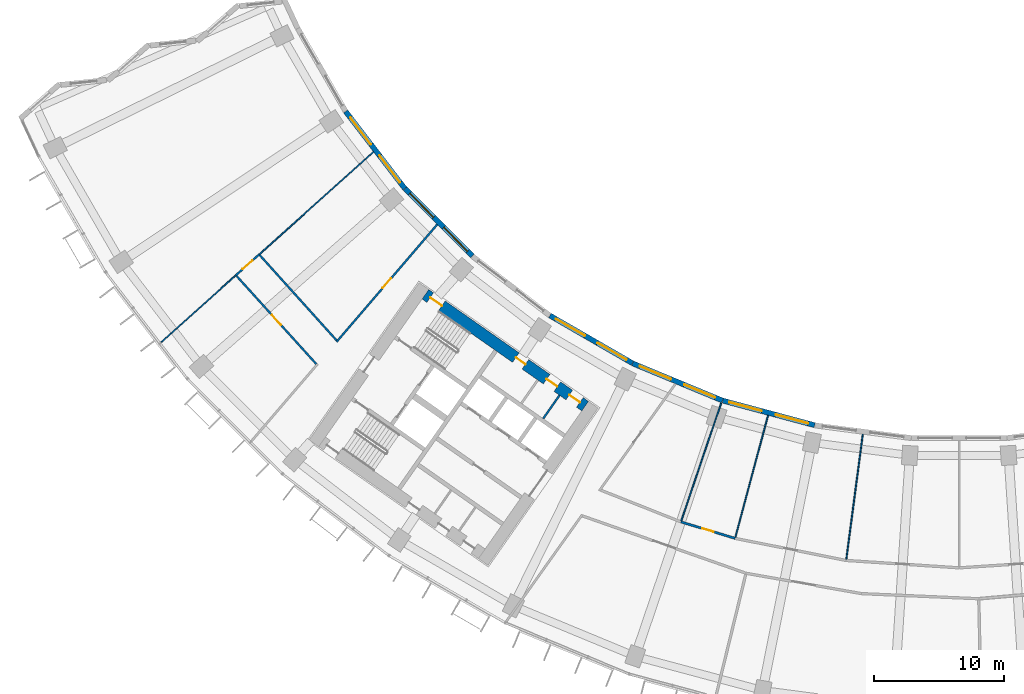
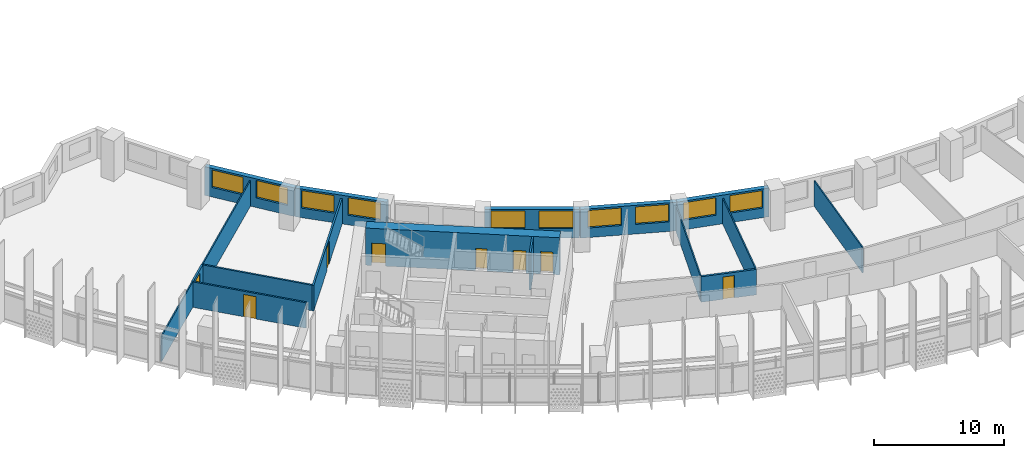
# One storey, part 4 of 29: 17 walls, 10 windows, 8 doors, 18 openings.
"""IFC4 building model written with IfcOpenShell, lengths in metres."""

from ifc_helpers import new_model, si_unit, direction, frame, frame_2d, origin, place, context, subcontext, project, spatial, rectangle, extrude, material, layer, layer_set, type_object, element, fill, save


model = new_model("IFC4")

# Units and contexts
model_context = context("Model", 3, precision=1e-05, world=origin(), true_north=direction((0.0, 1.0)))
body_context = subcontext(model_context, "Body", "Model", "MODEL_VIEW")
ifc_project = project(units=[si_unit("LENGTHUNIT", "METRE"), si_unit("AREAUNIT", "SQUARE_METRE"), si_unit("VOLUMEUNIT", "CUBIC_METRE"), si_unit("PLANEANGLEUNIT", "RADIAN"), si_unit("MASSUNIT", "GRAM", prefix="KILO")], contexts=[model_context])

# Site, building, storey
site_placement = place(None, origin())
site = spatial("IfcSite", under=ifc_project, at=site_placement, CompositionType="ELEMENT")
building_placement = place(site_placement, origin())
building = spatial("IfcBuilding", under=site, at=building_placement, Name="Qamariyya Broadcast Tower", CompositionType="ELEMENT")
storey_placement = place(building_placement, frame((0.0, 0.0, 132.89990234375)))
storey = spatial("IfcBuildingStorey", under=building, at=storey_placement, Name="L30", CompositionType="ELEMENT", Elevation=132.89990234375)

# Wall, openings, doors
ifc_material_1 = material(Name="Concrete C70/85", Category="concrete")
ifc_layer_1 = layer(ifc_material_1, 0.89990234375)
ifc_layer_set_1 = layer_set([ifc_layer_1], Name="Core wall 900 mm Concrete C70/85")
wall_type_1 = type_object("IfcWallType", Name="Core wall 900 mm Concrete C70/85", PredefinedType="SHEAR", material=ifc_layer_set_1)
wall_1_placement = place(storey_placement, frame((-28.8544921875, -54.32421875, 0.0), z_axis=(0.0, 0.0, 1.0), x_axis=(-0.819145767589, 0.573585400304, 0.0)))
wall_1 = element("IfcWall", 1, at=wall_1_placement, inside=storey, type_object=wall_type_1, Name="k-W-L30-WI", PredefinedType="SHEAR", context=body_context, shape_type="SweptSolid", body=[
    extrude(rectangle(XDim=15.04541015625, YDim=0.89990234375, at=frame_2d((7.522705078125, 0.0))), origin(), (0.0, 0.0, 1.0), 3.5),
])
opening_1_placement = place(wall_1_placement, frame((0.5, 0.0, 0.0)))
opening_1 = element("IfcOpeningElement", 2, at=opening_1_placement, cuts=wall_1, Name="Opening KD6-W2", PredefinedType="OPENING", context=body_context, shape_type="SweptSolid", body=[
    extrude(rectangle(XDim=1.0, YDim=2.10009765625, at=frame_2d((0.5, 1.050048828125))), frame((0.0, 0.4599609375, 0.0), z_axis=(0.0, -1.0, 0.0), x_axis=(1.0, 0.0, 0.0)), (0.0, 0.0, 1.0), 0.919921875),
])
opening_2_placement = place(wall_1_placement, frame((2.625, 0.0, 0.0)))
opening_2 = element("IfcOpeningElement", 3, at=opening_2_placement, cuts=wall_1, Name="Opening KD7-W1", PredefinedType="OPENING", context=body_context, shape_type="SweptSolid", body=[
    extrude(rectangle(XDim=1.0, YDim=2.10009765625, at=frame_2d((0.5, 1.050048828125))), frame((0.0, 0.4599609375, 0.0), z_axis=(0.0, -1.0, 0.0), x_axis=(1.0, 0.0, 0.0)), (0.0, 0.0, 1.0), 0.919921875),
])
opening_3_placement = place(wall_1_placement, frame((5.625, 0.0, 0.0)))
opening_3 = element("IfcOpeningElement", 4, at=opening_3_placement, cuts=wall_1, Name="Opening KD5-W1", PredefinedType="OPENING", context=body_context, shape_type="SweptSolid", body=[
    extrude(rectangle(XDim=0.89990234375, YDim=2.10009765625, at=frame_2d((0.449951171875, 1.050048828125))), frame((0.0, 0.4599609375, 0.0), z_axis=(0.0, -1.0, 0.0), x_axis=(1.0, 0.0, 0.0)), (0.0, 0.0, 1.0), 0.919921875),
])
opening_4_placement = place(wall_1_placement, frame((13.495361328125, 0.0, 0.0)))
opening_4 = element("IfcOpeningElement", 5, at=opening_4_placement, cuts=wall_1, Name="Opening KD1-W1", PredefinedType="OPENING", context=body_context, shape_type="SweptSolid", body=[
    extrude(rectangle(XDim=1.10009765625, YDim=2.10009765625, at=frame_2d((0.550048828125, 1.050048828125))), frame((0.0, 0.4599609375, 0.0), z_axis=(0.0, -1.0, 0.0), x_axis=(1.0, 0.0, 0.0)), (0.0, 0.0, 1.0), 0.919921875),
])
ifc_material_2 = material(Name="Steel fire-resisting door leaf", Category="steel")
door_type_1 = type_object("IfcDoorType", Name="Accessible toilet door KD7", OperationType="SINGLE_SWING_LEFT", PredefinedType="DOOR", material=ifc_material_2)
door_1_placement = place(opening_2_placement, origin())
door_1 = element("IfcDoor", 6, at=door_1_placement, inside=storey, type_object=door_type_1, Name="k-W-L30-WI-D7", OperationType="SINGLE_SWING_RIGHT", OverallHeight=2.10009765625, OverallWidth=1.0, PredefinedType="DOOR", context=body_context, shape_type="SweptSolid", body=[
    extrude(rectangle(XDim=1.0, YDim=2.10009765625, at=frame_2d((0.5, 1.050048828125))), frame((0.0, 0.02490234375, 0.0), z_axis=(0.0, -1.0, 0.0), x_axis=(1.0, 0.0, 0.0)), (0.0, 0.0, 1.0), 0.050048828125),
])
fill(opening_2, door_1)
door_type_2 = type_object("IfcDoorType", Name="Core room door KD6", OperationType="SINGLE_SWING_LEFT", PredefinedType="DOOR", material=ifc_material_2)
door_2_placement = place(opening_1_placement, origin())
door_2 = element("IfcDoor", 7, at=door_2_placement, inside=storey, type_object=door_type_2, Name="k-W-L30-WI-D6", OperationType="SINGLE_SWING_LEFT", OverallHeight=2.10009765625, OverallWidth=1.0, PredefinedType="DOOR", context=body_context, shape_type="SweptSolid", body=[
    extrude(rectangle(XDim=1.0, YDim=2.10009765625, at=frame_2d((0.5, 1.050048828125))), frame((0.0, 0.02490234375, 0.0), z_axis=(0.0, -1.0, 0.0), x_axis=(1.0, 0.0, 0.0)), (0.0, 0.0, 1.0), 0.050048828125),
])
fill(opening_1, door_2)
door_type_3 = type_object("IfcDoorType", Name="Stair door KD1", OperationType="SINGLE_SWING_LEFT", PredefinedType="DOOR", material=ifc_material_2)
door_3_placement = place(opening_4_placement, origin())
door_3 = element("IfcDoor", 8, at=door_3_placement, inside=storey, type_object=door_type_3, Name="k-W-L30-WI-D15", OperationType="SINGLE_SWING_RIGHT", OverallHeight=2.10009765625, OverallWidth=1.10009765625, PredefinedType="DOOR", context=body_context, shape_type="SweptSolid", body=[
    extrude(rectangle(XDim=1.10009765625, YDim=2.10009765625, at=frame_2d((0.550048828125, 1.050048828125))), frame((0.0, 0.02490234375, 0.0), z_axis=(0.0, -1.0, 0.0), x_axis=(1.0, 0.0, 0.0)), (0.0, 0.0, 1.0), 0.050048828125),
])
fill(opening_4, door_3)
door_type_4 = type_object("IfcDoorType", Name="Toilet door KD5", OperationType="SINGLE_SWING_LEFT", PredefinedType="DOOR", material=ifc_material_2)
door_4_placement = place(opening_3_placement, origin())
door_4 = element("IfcDoor", 9, at=door_4_placement, inside=storey, type_object=door_type_4, Name="k-W-L30-WI-D8", OperationType="SINGLE_SWING_LEFT", OverallHeight=2.10009765625, OverallWidth=0.89990234375, PredefinedType="DOOR", context=body_context, shape_type="SweptSolid", body=[
    extrude(rectangle(XDim=0.89990234375, YDim=2.10009765625, at=frame_2d((0.449951171875, 1.050048828125))), frame((0.0, 0.02490234375, 0.0), z_axis=(0.0, -1.0, 0.0), x_axis=(1.0, 0.0, 0.0)), (0.0, 0.0, 1.0), 0.050048828125),
])
fill(opening_3, door_4)

# Wall, opening, door
ifc_material_3 = material(Name="Gypsum board partition")
ifc_layer_2 = layer(ifc_material_3, 0.14990234375)
ifc_layer_set_2 = layer_set([ifc_layer_2], Name="Corridor partition 150 EI 60")
wall_type_2 = type_object("IfcWallType", Name="Corridor partition 150 EI 60", PredefinedType="PARTITIONING", material=ifc_layer_set_2)
wall_2_placement = place(storey_placement, frame((-55.7978515625, -44.22705078125, 0.0), z_axis=(0.0, 0.0, 1.0), x_axis=(0.744539856865, 0.667578011576, 0.0)))
wall_2 = element("IfcWall", 10, at=wall_2_placement, inside=storey, type_object=wall_type_2, Name="Partition L30-002", PredefinedType="PARTITIONING", context=body_context, shape_type="SweptSolid", body=[
    extrude(rectangle(XDim=2.404541015625, YDim=0.14990234375, at=frame_2d((1.2021484375, 0.0))), origin(), (0.0, 0.0, 1.0), 2.400146484375),
])
opening_5_placement = place(wall_2_placement, frame((0.702392578125, 0.0, 0.0)))
opening_5 = element("IfcOpeningElement", 11, at=opening_5_placement, cuts=wall_2, Name="Opening L30-D14", PredefinedType="OPENING", context=body_context, shape_type="SweptSolid", body=[
    extrude(rectangle(XDim=1.0, YDim=2.10009765625, at=frame_2d((0.5, 1.050048828125))), frame((0.0, 0.0849609375, 0.0), z_axis=(0.0, -1.0, 0.0), x_axis=(1.0, 0.0, 0.0)), (0.0, 0.0, 1.0), 0.169921875),
])
ifc_material_4 = material(Name="Timber fire door leaf", Category="wood")
door_type_5 = type_object("IfcDoorType", Name="Fire door 1000 x 2100 FD60", OperationType="NOTDEFINED", PredefinedType="DOOR", material=ifc_material_4)
door_5_placement = place(opening_5_placement, origin())
door_5 = element("IfcDoor", 12, at=door_5_placement, inside=storey, type_object=door_type_5, Name="Door L30-D14", OperationType="SINGLE_SWING_RIGHT", OverallHeight=2.10009765625, OverallWidth=1.0, PredefinedType="DOOR", context=body_context, shape_type="SweptSolid", body=[
    extrude(rectangle(XDim=1.0, YDim=2.10009765625, at=frame_2d((0.5, 1.050048828125))), frame((0.0, 0.02490234375, 0.0), z_axis=(0.0, -1.0, 0.0), x_axis=(1.0, 0.0, 0.0)), (0.0, 0.0, 1.0), 0.050048828125),
])
fill(opening_5, door_5)

wall_3_placement = place(storey_placement, frame((-49.597900390625, -51.076171875, 0.0), z_axis=(0.0, 0.0, 1.0), x_axis=(-0.671105149511, 0.741362177549, 0.0)))
wall_3 = element("IfcWall", 13, at=wall_3_placement, inside=storey, type_object=wall_type_2, Name="Partition L30-004", PredefinedType="PARTITIONING", context=body_context, shape_type="SweptSolid", body=[
    extrude(rectangle(XDim=9.16357421875, YDim=0.14990234375, at=frame_2d((4.581787109375, 0.0))), origin(), (0.0, 0.0, 1.0), 2.400146484375),
])
opening_6_placement = place(wall_3_placement, frame((4.081787109375, 0.0, 0.0)))
opening_6 = element("IfcOpeningElement", 14, at=opening_6_placement, cuts=wall_3, Name="Opening L30-D13", PredefinedType="OPENING", context=body_context, shape_type="SweptSolid", body=[
    extrude(rectangle(XDim=1.0, YDim=2.10009765625, at=frame_2d((0.5, 1.050048828125))), frame((0.0, 0.0849609375, 0.0), z_axis=(0.0, -1.0, 0.0), x_axis=(1.0, 0.0, 0.0)), (0.0, 0.0, 1.0), 0.169921875),
])
door_6_placement = place(opening_6_placement, origin())
door_6 = element("IfcDoor", 15, at=door_6_placement, inside=storey, type_object=door_type_5, Name="Door L30-D13", OperationType="SINGLE_SWING_RIGHT", OverallHeight=2.10009765625, OverallWidth=1.0, PredefinedType="DOOR", context=body_context, shape_type="SweptSolid", body=[
    extrude(rectangle(XDim=1.0, YDim=2.10009765625, at=frame_2d((0.5, 1.050048828125))), frame((0.0, 0.02490234375, 0.0), z_axis=(0.0, -1.0, 0.0), x_axis=(1.0, 0.0, 0.0)), (0.0, 0.0, 1.0), 0.050048828125),
])
fill(opening_6, door_6)

# Wall
wall_4_placement = place(storey_placement, frame((-48.032470703125, -49.2509765625, 0.0), z_axis=(0.0, 0.0, 1.0), x_axis=(-0.669505645027, 0.742806967709, 0.0)))
element("IfcWall", 16, at=wall_4_placement, inside=storey, type_object=wall_type_2, Name="Partition L30-006", PredefinedType="PARTITIONING", context=body_context, shape_type="SweptSolid", body=[
    extrude(rectangle(XDim=8.849609375, YDim=0.14990234375, at=frame_2d((4.4248046875, 0.0))), origin(), (0.0, 0.0, 1.0), 2.400146484375),
])

# Wall, opening, door
wall_5_placement = place(storey_placement, frame((-48.031005859375, -49.363525390625, 0.0), z_axis=(0.0, 0.0, 1.0), x_axis=(0.650981860867, 0.759093285982, 0.0)))
wall_5 = element("IfcWall", 17, at=wall_5_placement, inside=storey, type_object=wall_type_2, Name="Partition L30-007", PredefinedType="PARTITIONING", context=body_context, shape_type="SweptSolid", body=[
    extrude(rectangle(XDim=11.92578125, YDim=0.14990234375, at=frame_2d((5.962890625, 0.0))), origin(), (0.0, 0.0, 1.0), 2.400146484375),
])
opening_7_placement = place(wall_5_placement, frame((5.462890625, 0.0, 0.0)))
opening_7 = element("IfcOpeningElement", 18, at=opening_7_placement, cuts=wall_5, Name="Opening L30-D12", PredefinedType="OPENING", context=body_context, shape_type="SweptSolid", body=[
    extrude(rectangle(XDim=1.0, YDim=2.10009765625, at=frame_2d((0.5, 1.050048828125))), frame((0.0, 0.0849609375, 0.0), z_axis=(0.0, -1.0, 0.0), x_axis=(1.0, 0.0, 0.0)), (0.0, 0.0, 1.0), 0.169921875),
])
door_7_placement = place(opening_7_placement, origin())
door_7 = element("IfcDoor", 19, at=door_7_placement, inside=storey, type_object=door_type_5, Name="Door L30-D12", OperationType="SINGLE_SWING_RIGHT", OverallHeight=2.10009765625, OverallWidth=1.0, PredefinedType="DOOR", context=body_context, shape_type="SweptSolid", body=[
    extrude(rectangle(XDim=1.0, YDim=2.10009765625, at=frame_2d((0.5, 1.050048828125))), frame((0.0, 0.02490234375, 0.0), z_axis=(0.0, -1.0, 0.0), x_axis=(1.0, 0.0, 0.0)), (0.0, 0.0, 1.0), 0.050048828125),
])
fill(opening_7, door_7)

# Walls
ifc_material_5 = material(Name="Gypsum board partition on steel studs", Category="steel")
ifc_layer_3 = layer(ifc_material_5, 0.14990234375)
ifc_layer_set_3 = layer_set([ifc_layer_3], Name="Gypsum board partition 150 mm")
wall_type_3 = type_object("IfcWallType", Name="Gypsum board partition 150 mm", PredefinedType="PARTITIONING", material=ifc_layer_set_3)
wall_6_placement = place(storey_placement, frame((-32.0947265625, -55.290283203125, 0.0), z_axis=(0.0, 0.0, 1.0), x_axis=(0.573559170999, 0.819164133348, 0.0)))
element("IfcWall", 20, at=wall_6_placement, inside=storey, type_object=wall_type_3, Name="k-W-L30-NP210", PredefinedType="PARTITIONING", context=body_context, shape_type="SweptSolid", body=[
    extrude(rectangle(XDim=2.19970703125, YDim=0.14990234375, at=frame_2d((1.099853515625, 0.0))), origin(), (0.0, 0.0, 1.0), 3.5),
])
ifc_layer_4 = layer(ifc_material_3, 0.10009765625)
ifc_layer_set_4 = layer_set([ifc_layer_4], Name="Partition 100")
wall_type_4 = type_object("IfcWallType", Name="Partition 100", PredefinedType="PARTITIONING", material=ifc_layer_set_4)
wall_7_placement = place(storey_placement, frame((-61.576904296875, -49.409423828125, 0.0), z_axis=(0.0, 0.0, 1.0), x_axis=(0.744495585519, 0.667627383457, 0.0)))
element("IfcWall", 21, at=wall_7_placement, inside=storey, type_object=wall_type_4, Name="Partition L30-001", PredefinedType="PARTITIONING", context=body_context, shape_type="SweptSolid", body=[
    extrude(rectangle(XDim=7.762451171875, YDim=0.10009765625, at=frame_2d((3.88134765625, 0.0))), origin(), (0.0, 0.0, 1.0), 2.400146484375),
])
wall_8_placement = place(storey_placement, frame((-54.007568359375, -42.621826171875, 0.0), z_axis=(0.0, 0.0, 1.0), x_axis=(0.744502704069, 0.667619445219, 0.0)))
element("IfcWall", 22, at=wall_8_placement, inside=storey, type_object=wall_type_4, Name="Partition L30-003", PredefinedType="PARTITIONING", context=body_context, shape_type="SweptSolid", body=[
    extrude(rectangle(XDim=11.850830078125, YDim=0.10009765625, at=frame_2d((5.92529296875, 0.0))), origin(), (0.0, 0.0, 1.0), 2.400146484375),
])
wall_9_placement = place(storey_placement, frame((-18.354248046875, -54.06982421875, 0.0), z_axis=(0.0, 0.0, 1.0), x_axis=(-0.321428562801, -0.946933830326, 0.0)))
element("IfcWall", 23, at=wall_9_placement, inside=storey, type_object=wall_type_4, Name="Partition L30-014", PredefinedType="PARTITIONING", context=body_context, shape_type="SweptSolid", body=[
    extrude(rectangle(XDim=9.60986328125, YDim=0.10009765625, at=frame_2d((4.804931640625, 0.0))), origin(), (0.0, 0.0, 1.0), 2.400146484375),
])
for number, where, z_axis, x_axis, name in (
    (24, (-14.7470703125, -55.037109375, 0.0), (0.0, 0.0, 1.0), (-0.258828880572, -0.965923190829, 0.0), "Partition L30-017"),
    (25, (-7.437255859375, -56.4912109375, 0.0), (0.0, 0.0, 1.0), (-0.130531739513, -0.991444131043, 0.0), "Partition L30-020"),
):
    element("IfcWall", number, at=place(storey_placement, frame(where, z_axis=z_axis, x_axis=x_axis)), inside=storey, type_object=wall_type_4, Name=name, PredefinedType="PARTITIONING", context=body_context, shape_type="SweptSolid", body=[
        extrude(rectangle(XDim=9.7314453125, YDim=0.10009765625, at=frame_2d((4.86572265625, 0.0))), origin(), (0.0, 0.0, 1.0), 2.400146484375),
    ])

# Wall, opening, door
ifc_layer_5 = layer(ifc_material_3, 0.179931640625)
ifc_layer_set_5 = layer_set([ifc_layer_5], Name="Studio acoustic partition 180 EI 60")
wall_type_5 = type_object("IfcWallType", Name="Studio acoustic partition 180 EI 60", PredefinedType="PARTITIONING", material=ifc_layer_set_5)
wall_10_placement = place(storey_placement, frame((-21.47216796875, -63.2548828125, 0.0), z_axis=(0.0, 0.0, 1.0), x_axis=(0.956933231095, -0.290308097072, 0.0)))
wall_10 = element("IfcWall", 26, at=wall_10_placement, inside=storey, type_object=wall_type_5, Name="Partition L30-012", PredefinedType="PARTITIONING", context=body_context, shape_type="SweptSolid", body=[
    extrude(rectangle(XDim=4.371337890625, YDim=0.179931640625, at=frame_2d((2.185546875, 0.0))), origin(), (0.0, 0.0, 1.0), 2.400146484375),
])
opening_8_placement = place(wall_10_placement, frame((1.735595703125, 0.0, 0.0)))
opening_8 = element("IfcOpeningElement", 27, at=opening_8_placement, cuts=wall_10, Name="Opening L30-D06", PredefinedType="OPENING", context=body_context, shape_type="SweptSolid", body=[
    extrude(rectangle(XDim=0.89990234375, YDim=2.10009765625, at=frame_2d((0.449951171875, 1.050048828125))), frame((0.0, 0.099853515625, 0.0), z_axis=(0.0, -1.0, 0.0), x_axis=(1.0, 0.0, 0.0)), (0.0, 0.0, 1.0), 0.199951171875),
])
door_type_6 = type_object("IfcDoorType", Name="Fire door 900 x 2100 FD60", OperationType="NOTDEFINED", PredefinedType="DOOR", material=ifc_material_4)
door_8_placement = place(opening_8_placement, origin())
door_8 = element("IfcDoor", 28, at=door_8_placement, inside=storey, type_object=door_type_6, Name="Door L30-D06", OperationType="SINGLE_SWING_RIGHT", OverallHeight=2.10009765625, OverallWidth=0.89990234375, PredefinedType="DOOR", context=body_context, shape_type="SweptSolid", body=[
    extrude(rectangle(XDim=0.89990234375, YDim=2.10009765625, at=frame_2d((0.449951171875, 1.050048828125))), frame((0.0, 0.02490234375, 0.0), z_axis=(0.0, -1.0, 0.0), x_axis=(1.0, 0.0, 0.0)), (0.0, 0.0, 1.0), 0.050048828125),
])
fill(opening_8, door_8)

# Wall, openings, windows
ifc_material_6 = material(Name="Terracotta", Category="masonry")
ifc_layer_6 = layer(ifc_material_6, 0.39990234375)
ifc_layer_set_6 = layer_set([ifc_layer_6], Name="Terracotta clad wall 400")
wall_type_6 = type_object("IfcWallType", Name="Terracotta clad wall 400", PredefinedType="SOLIDWALL", material=ifc_layer_set_6)
wall_11_placement = place(storey_placement, frame((-42.764892578125, -37.536865234375, 0.0), z_axis=(0.0, 0.0, 1.0), x_axis=(-0.608748204711, 0.793363487476, 0.0)))
wall_11 = element("IfcWall", 29, at=wall_11_placement, inside=storey, type_object=wall_type_6, Name="e-wl-L30-in20", PredefinedType="SOLIDWALL", context=body_context, shape_type="SweptSolid", body=[
    extrude(rectangle(XDim=7.492919921875, YDim=0.39990234375, at=frame_2d((3.74658203125, 0.0))), origin(), (0.0, 0.0, 1.0), 2.7001953125),
])
opening_9_placement = place(wall_11_placement, frame((4.300537109375, 0.0, 0.89990234375)))
opening_9 = element("IfcOpeningElement", 30, at=opening_9_placement, cuts=wall_11, Name="Opening W1", PredefinedType="OPENING", context=body_context, shape_type="SweptSolid", body=[
    extrude(rectangle(XDim=2.60009765625, YDim=1.64990234375, at=frame_2d((1.300048828125, 0.824951171875))), frame((0.0, 0.2099609375, 0.0), z_axis=(0.0, -1.0, 0.0), x_axis=(1.0, 0.0, 0.0)), (0.0, 0.0, 1.0), 0.419921875),
])
opening_10_placement = place(wall_11_placement, frame((0.59228515625, 0.0, 0.89990234375)))
opening_10 = element("IfcOpeningElement", 31, at=opening_10_placement, cuts=wall_11, Name="Opening W1", PredefinedType="OPENING", context=body_context, shape_type="SweptSolid", body=[
    extrude(rectangle(XDim=2.60009765625, YDim=1.64990234375, at=frame_2d((1.300048828125, 0.824951171875))), frame((0.0, 0.2099609375, 0.0), z_axis=(0.0, -1.0, 0.0), x_axis=(1.0, 0.0, 0.0)), (0.0, 0.0, 1.0), 0.419921875),
])
ifc_material_7 = material(Name="Clear low-e double glazed unit in aluminium frame", Category="aluminium")
window_type = type_object("IfcWindowType", Name="Ribbon window 2600 x 1650", PartitioningType="SINGLE_PANEL", PredefinedType="WINDOW", material=ifc_material_7)
window_1_placement = place(opening_9_placement, origin())
window_1 = element("IfcWindow", 32, at=window_1_placement, inside=storey, type_object=window_type, Name="e-w-L30-in02-0", OverallHeight=1.64990234375, OverallWidth=2.60009765625, PartitioningType="SINGLE_PANEL", PredefinedType="WINDOW", context=body_context, shape_type="SweptSolid", body=[
    extrude(rectangle(XDim=2.60009765625, YDim=1.64990234375, at=frame_2d((1.300048828125, 0.824951171875))), frame((0.0, 0.030029296875, 0.0), z_axis=(0.0, -1.0, 0.0), x_axis=(1.0, 0.0, 0.0)), (0.0, 0.0, 1.0), 0.06005859375),
])
fill(opening_9, window_1)
window_2_placement = place(opening_10_placement, origin())
window_2 = element("IfcWindow", 33, at=window_2_placement, inside=storey, type_object=window_type, Name="e-w-L30-in02-1", OverallHeight=1.64990234375, OverallWidth=2.60009765625, PartitioningType="SINGLE_PANEL", PredefinedType="WINDOW", context=body_context, shape_type="SweptSolid", body=[
    extrude(rectangle(XDim=2.60009765625, YDim=1.64990234375, at=frame_2d((1.300048828125, 0.824951171875))), frame((0.0, 0.030029296875, 0.0), z_axis=(0.0, -1.0, 0.0), x_axis=(1.0, 0.0, 0.0)), (0.0, 0.0, 1.0), 0.06005859375),
])
fill(opening_10, window_2)

wall_12_placement = place(storey_placement, frame((-37.552978515625, -42.744140625, 0.0), z_axis=(0.0, 0.0, 1.0), x_axis=(-0.707106781187, 0.707106781187, 0.0)))
wall_12 = element("IfcWall", 34, at=wall_12_placement, inside=storey, type_object=wall_type_6, Name="e-wl-L30-in30", PredefinedType="SOLIDWALL", context=body_context, shape_type="SweptSolid", body=[
    extrude(rectangle(XDim=7.34130859375, YDim=0.39990234375, at=frame_2d((3.670654296875, 0.0))), origin(), (0.0, 0.0, 1.0), 2.7001953125),
])
opening_11_placement = place(wall_12_placement, frame((4.224853515625, 0.0, 0.89990234375)))
opening_11 = element("IfcOpeningElement", 35, at=opening_11_placement, cuts=wall_12, Name="Opening W1", PredefinedType="OPENING", context=body_context, shape_type="SweptSolid", body=[
    extrude(rectangle(XDim=2.60009765625, YDim=1.64990234375, at=frame_2d((1.300048828125, 0.824951171875))), frame((0.0, 0.2099609375, 0.0), z_axis=(0.0, -1.0, 0.0), x_axis=(1.0, 0.0, 0.0)), (0.0, 0.0, 1.0), 0.419921875),
])
opening_12_placement = place(wall_12_placement, frame((0.5166015625, 0.0, 0.89990234375)))
opening_12 = element("IfcOpeningElement", 36, at=opening_12_placement, cuts=wall_12, Name="Opening W1", PredefinedType="OPENING", context=body_context, shape_type="SweptSolid", body=[
    extrude(rectangle(XDim=2.60009765625, YDim=1.64990234375, at=frame_2d((1.300048828125, 0.824951171875))), frame((0.0, 0.2099609375, 0.0), z_axis=(0.0, -1.0, 0.0), x_axis=(1.0, 0.0, 0.0)), (0.0, 0.0, 1.0), 0.419921875),
])
window_3_placement = place(opening_11_placement, origin())
window_3 = element("IfcWindow", 37, at=window_3_placement, inside=storey, type_object=window_type, Name="e-w-L30-in03-0", OverallHeight=1.64990234375, OverallWidth=2.60009765625, PartitioningType="SINGLE_PANEL", PredefinedType="WINDOW", context=body_context, shape_type="SweptSolid", body=[
    extrude(rectangle(XDim=2.60009765625, YDim=1.64990234375, at=frame_2d((1.300048828125, 0.824951171875))), frame((0.0, 0.030029296875, 0.0), z_axis=(0.0, -1.0, 0.0), x_axis=(1.0, 0.0, 0.0)), (0.0, 0.0, 1.0), 0.06005859375),
])
fill(opening_11, window_3)
window_4_placement = place(opening_12_placement, origin())
window_4 = element("IfcWindow", 38, at=window_4_placement, inside=storey, type_object=window_type, Name="e-w-L30-in03-1", OverallHeight=1.64990234375, OverallWidth=2.60009765625, PartitioningType="SINGLE_PANEL", PredefinedType="WINDOW", context=body_context, shape_type="SweptSolid", body=[
    extrude(rectangle(XDim=2.60009765625, YDim=1.64990234375, at=frame_2d((1.300048828125, 0.824951171875))), frame((0.0, 0.030029296875, 0.0), z_axis=(0.0, -1.0, 0.0), x_axis=(1.0, 0.0, 0.0)), (0.0, 0.0, 1.0), 0.06005859375),
])
fill(opening_12, window_4)

wall_13_placement = place(storey_placement, frame((-25.21044921875, -51.007080078125, 0.0), z_axis=(0.0, 0.0, 1.0), x_axis=(-0.866030525931, 0.499991128077, 0.0)))
wall_13 = element("IfcWall", 39, at=wall_13_placement, inside=storey, type_object=wall_type_6, Name="e-wl-L30-in50", PredefinedType="SOLIDWALL", context=body_context, shape_type="SweptSolid", body=[
    extrude(rectangle(XDim=7.341552734375, YDim=0.39990234375, at=frame_2d((3.6708984375, 0.0))), origin(), (0.0, 0.0, 1.0), 2.7001953125),
])
opening_13_placement = place(wall_13_placement, frame((4.224853515625, 0.0, 0.89990234375)))
opening_13 = element("IfcOpeningElement", 40, at=opening_13_placement, cuts=wall_13, Name="Opening W1", PredefinedType="OPENING", context=body_context, shape_type="SweptSolid", body=[
    extrude(rectangle(XDim=2.60009765625, YDim=1.64990234375, at=frame_2d((1.300048828125, 0.824951171875))), frame((0.0, 0.2099609375, 0.0), z_axis=(0.0, -1.0, 0.0), x_axis=(1.0, 0.0, 0.0)), (0.0, 0.0, 1.0), 0.419921875),
])
opening_14_placement = place(wall_13_placement, frame((0.5166015625, 0.0, 0.89990234375)))
opening_14 = element("IfcOpeningElement", 41, at=opening_14_placement, cuts=wall_13, Name="Opening W1", PredefinedType="OPENING", context=body_context, shape_type="SweptSolid", body=[
    extrude(rectangle(XDim=2.60009765625, YDim=1.64990234375, at=frame_2d((1.300048828125, 0.824951171875))), frame((0.0, 0.2099609375, 0.0), z_axis=(0.0, -1.0, 0.0), x_axis=(1.0, 0.0, 0.0)), (0.0, 0.0, 1.0), 0.419921875),
])
window_5_placement = place(opening_13_placement, origin())
window_5 = element("IfcWindow", 42, at=window_5_placement, inside=storey, type_object=window_type, Name="e-w-L30-in05-0", OverallHeight=1.64990234375, OverallWidth=2.60009765625, PartitioningType="SINGLE_PANEL", PredefinedType="WINDOW", context=body_context, shape_type="SweptSolid", body=[
    extrude(rectangle(XDim=2.60009765625, YDim=1.64990234375, at=frame_2d((1.300048828125, 0.824951171875))), frame((0.0, 0.030029296875, 0.0), z_axis=(0.0, -1.0, 0.0), x_axis=(1.0, 0.0, 0.0)), (0.0, 0.0, 1.0), 0.06005859375),
])
fill(opening_13, window_5)
window_6_placement = place(opening_14_placement, origin())
window_6 = element("IfcWindow", 43, at=window_6_placement, inside=storey, type_object=window_type, Name="e-w-L30-in05-1", OverallHeight=1.64990234375, OverallWidth=2.60009765625, PartitioningType="SINGLE_PANEL", PredefinedType="WINDOW", context=body_context, shape_type="SweptSolid", body=[
    extrude(rectangle(XDim=2.60009765625, YDim=1.64990234375, at=frame_2d((1.300048828125, 0.824951171875))), frame((0.0, 0.030029296875, 0.0), z_axis=(0.0, -1.0, 0.0), x_axis=(1.0, 0.0, 0.0)), (0.0, 0.0, 1.0), 0.06005859375),
])
fill(opening_14, window_6)

wall_14_placement = place(storey_placement, frame((-18.266845703125, -53.890380859375, 0.0), z_axis=(0.0, 0.0, 1.0), x_axis=(-0.923879826967, 0.382682721486, 0.0)))
wall_14 = element("IfcWall", 44, at=wall_14_placement, inside=storey, type_object=wall_type_6, Name="e-wl-L30-in60", PredefinedType="SOLIDWALL", context=body_context, shape_type="SweptSolid", body=[
    extrude(rectangle(XDim=7.492919921875, YDim=0.39990234375, at=frame_2d((3.74658203125, 0.0))), origin(), (0.0, 0.0, 1.0), 2.7001953125),
])
opening_15_placement = place(wall_14_placement, frame((4.300537109375, 0.0, 0.89990234375)))
opening_15 = element("IfcOpeningElement", 45, at=opening_15_placement, cuts=wall_14, Name="Opening W1", PredefinedType="OPENING", context=body_context, shape_type="SweptSolid", body=[
    extrude(rectangle(XDim=2.60009765625, YDim=1.64990234375, at=frame_2d((1.300048828125, 0.824951171875))), frame((0.0, 0.2099609375, 0.0), z_axis=(0.0, -1.0, 0.0), x_axis=(1.0, 0.0, 0.0)), (0.0, 0.0, 1.0), 0.419921875),
])
opening_16_placement = place(wall_14_placement, frame((0.59228515625, 0.0, 0.89990234375)))
opening_16 = element("IfcOpeningElement", 46, at=opening_16_placement, cuts=wall_14, Name="Opening W1", PredefinedType="OPENING", context=body_context, shape_type="SweptSolid", body=[
    extrude(rectangle(XDim=2.60009765625, YDim=1.64990234375, at=frame_2d((1.300048828125, 0.824951171875))), frame((0.0, 0.2099609375, 0.0), z_axis=(0.0, -1.0, 0.0), x_axis=(1.0, 0.0, 0.0)), (0.0, 0.0, 1.0), 0.419921875),
])
window_7_placement = place(opening_15_placement, origin())
window_7 = element("IfcWindow", 47, at=window_7_placement, inside=storey, type_object=window_type, Name="e-w-L30-in06-0", OverallHeight=1.64990234375, OverallWidth=2.60009765625, PartitioningType="SINGLE_PANEL", PredefinedType="WINDOW", context=body_context, shape_type="SweptSolid", body=[
    extrude(rectangle(XDim=2.60009765625, YDim=1.64990234375, at=frame_2d((1.300048828125, 0.824951171875))), frame((0.0, 0.030029296875, 0.0), z_axis=(0.0, -1.0, 0.0), x_axis=(1.0, 0.0, 0.0)), (0.0, 0.0, 1.0), 0.06005859375),
])
fill(opening_15, window_7)
window_8_placement = place(opening_16_placement, origin())
window_8 = element("IfcWindow", 48, at=window_8_placement, inside=storey, type_object=window_type, Name="e-w-L30-in06-1", OverallHeight=1.64990234375, OverallWidth=2.60009765625, PartitioningType="SINGLE_PANEL", PredefinedType="WINDOW", context=body_context, shape_type="SweptSolid", body=[
    extrude(rectangle(XDim=2.60009765625, YDim=1.64990234375, at=frame_2d((1.300048828125, 0.824951171875))), frame((0.0, 0.030029296875, 0.0), z_axis=(0.0, -1.0, 0.0), x_axis=(1.0, 0.0, 0.0)), (0.0, 0.0, 1.0), 0.06005859375),
])
fill(opening_16, window_8)

wall_15_placement = place(storey_placement, frame((-11.149658203125, -55.7939453125, 0.0), z_axis=(0.0, 0.0, 1.0), x_axis=(-0.965924597867, 0.258823629594, 0.0)))
wall_15 = element("IfcWall", 49, at=wall_15_placement, inside=storey, type_object=wall_type_6, Name="e-wl-L30-in70", PredefinedType="SOLIDWALL", context=body_context, shape_type="SweptSolid", body=[
    extrude(rectangle(XDim=7.341552734375, YDim=0.39990234375, at=frame_2d((3.6708984375, 0.0))), origin(), (0.0, 0.0, 1.0), 2.7001953125),
])
opening_17_placement = place(wall_15_placement, frame((4.224853515625, 0.0, 0.89990234375)))
opening_17 = element("IfcOpeningElement", 50, at=opening_17_placement, cuts=wall_15, Name="Opening W1", PredefinedType="OPENING", context=body_context, shape_type="SweptSolid", body=[
    extrude(rectangle(XDim=2.60009765625, YDim=1.64990234375, at=frame_2d((1.300048828125, 0.824951171875))), frame((0.0, 0.2099609375, 0.0), z_axis=(0.0, -1.0, 0.0), x_axis=(1.0, 0.0, 0.0)), (0.0, 0.0, 1.0), 0.419921875),
])
opening_18_placement = place(wall_15_placement, frame((0.5166015625, 0.0, 0.89990234375)))
opening_18 = element("IfcOpeningElement", 51, at=opening_18_placement, cuts=wall_15, Name="Opening W1", PredefinedType="OPENING", context=body_context, shape_type="SweptSolid", body=[
    extrude(rectangle(XDim=2.60009765625, YDim=1.64990234375, at=frame_2d((1.300048828125, 0.824951171875))), frame((0.0, 0.2099609375, 0.0), z_axis=(0.0, -1.0, 0.0), x_axis=(1.0, 0.0, 0.0)), (0.0, 0.0, 1.0), 0.419921875),
])
window_9_placement = place(opening_17_placement, origin())
window_9 = element("IfcWindow", 52, at=window_9_placement, inside=storey, type_object=window_type, Name="e-w-L30-in07-0", OverallHeight=1.64990234375, OverallWidth=2.60009765625, PartitioningType="SINGLE_PANEL", PredefinedType="WINDOW", context=body_context, shape_type="SweptSolid", body=[
    extrude(rectangle(XDim=2.60009765625, YDim=1.64990234375, at=frame_2d((1.300048828125, 0.824951171875))), frame((0.0, 0.030029296875, 0.0), z_axis=(0.0, -1.0, 0.0), x_axis=(1.0, 0.0, 0.0)), (0.0, 0.0, 1.0), 0.06005859375),
])
fill(opening_17, window_9)
window_10_placement = place(opening_18_placement, origin())
window_10 = element("IfcWindow", 53, at=window_10_placement, inside=storey, type_object=window_type, Name="e-w-L30-in07-1", OverallHeight=1.64990234375, OverallWidth=2.60009765625, PartitioningType="SINGLE_PANEL", PredefinedType="WINDOW", context=body_context, shape_type="SweptSolid", body=[
    extrude(rectangle(XDim=2.60009765625, YDim=1.64990234375, at=frame_2d((1.300048828125, 0.824951171875))), frame((0.0, 0.030029296875, 0.0), z_axis=(0.0, -1.0, 0.0), x_axis=(1.0, 0.0, 0.0)), (0.0, 0.0, 1.0), 0.06005859375),
])
fill(opening_18, window_10)

save(model, "model.ifc")
